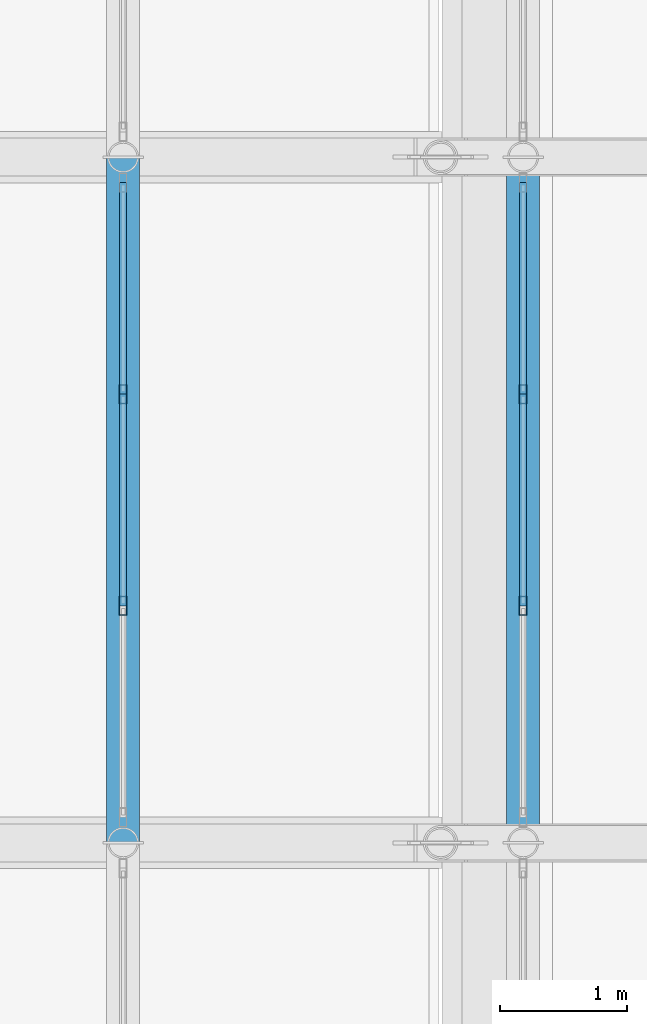
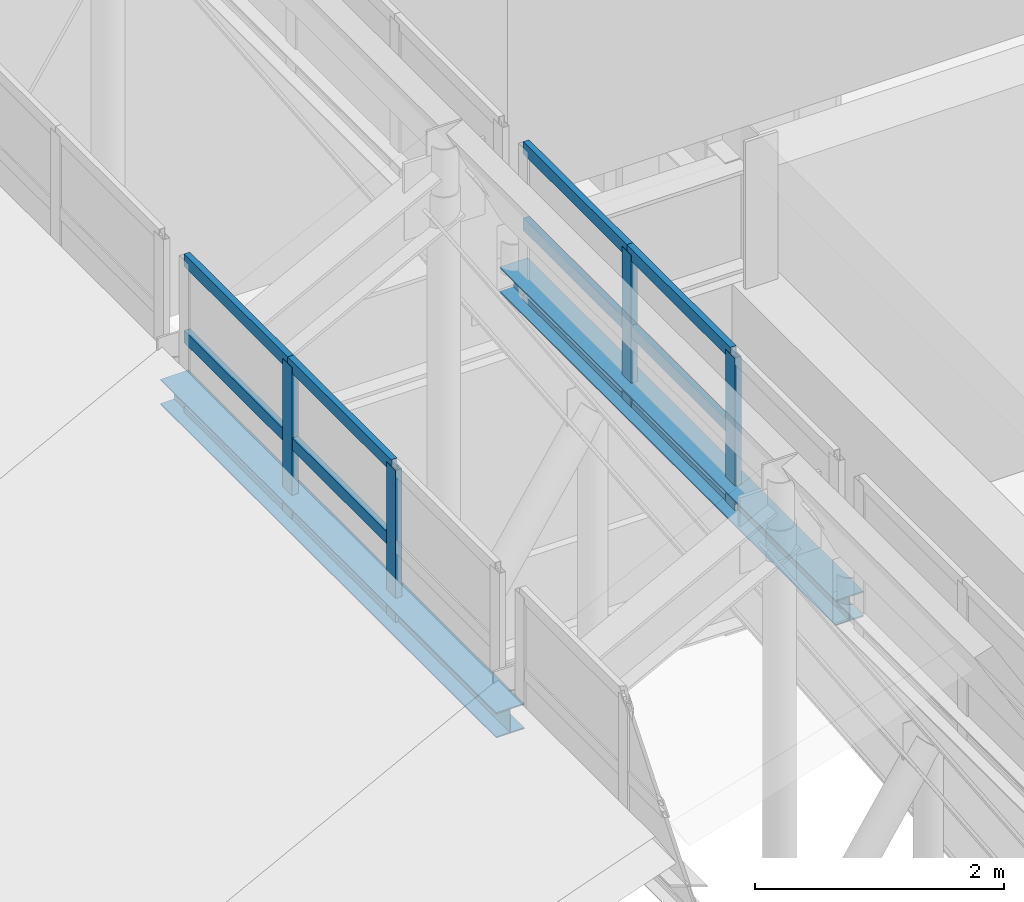
# One storey, part 16 of 84: 16 members, 2 beams, 2 elements without a shape of their own.
"""IFC4 building model written with IfcOpenShell, lengths in metres."""

from ifc_helpers import new_model, si_unit, direction, frame, origin, origin_2d, place, context, subcontext, project, spatial, hollow_rectangle, i_section, extrude, material, layer, layer_set, material_profile, profile_set, type_object, element, aggregate, save


model = new_model("IFC4")

# Units and contexts
model_context = context("Model", 3, precision=1e-05, world=origin(), true_north=direction((0.0, 1.0)))
body_context = subcontext(model_context, "Body", "Model", "MODEL_VIEW")
ifc_project = project(units=[si_unit("LENGTHUNIT", "METRE"), si_unit("AREAUNIT", "SQUARE_METRE"), si_unit("VOLUMEUNIT", "CUBIC_METRE"), si_unit("PLANEANGLEUNIT", "RADIAN"), si_unit("MASSUNIT", "GRAM", prefix="KILO")], contexts=[model_context])

# Site, building, storey
site_placement = place(None, origin())
site = spatial("IfcSite", under=ifc_project, at=site_placement, CompositionType="ELEMENT")
building_placement = place(site_placement, origin())
building = spatial("IfcBuilding", under=site, at=building_placement, Name="Sundgate Opera House", CompositionType="ELEMENT")
storey_placement = place(building_placement, frame((0.0, 0.0, 30.60009765625)))
storey = spatial("IfcBuildingStorey", under=building, at=storey_placement, Name="L06", CompositionType="ELEMENT", Elevation=30.60009765625)

# Beams
ifc_material_1 = material(Name="Steel S355J2", Category="steel")
ifc_material_profile_1 = material_profile(ifc_material_1, i_section(OverallWidth=0.260009765625, OverallDepth=0.25, WebThickness=0.007568359375, FlangeThickness=0.012451171875, at=origin_2d()), Name="HEA 260")
ifc_profile_set_1 = profile_set([ifc_material_profile_1], Name="Steel S355J2")
beam_type = type_object("IfcBeamType", Name="BM-LN-HEA260", PredefinedType="LINTEL", material=ifc_profile_set_1)
for number, where, z_axis, x_axis, name in (
    (1, (51.5, 43.800048828125, 12.119873046875), (0.0, 1.0, 0.0), (-1.0, 0.0, 0.0), "L06 Crown Clerestory Curb Beam BS026"),
    (2, (54.64990234375, 43.800048828125, 12.119873046875), (0.0, 1.0, 0.0), (-1.0, 0.0, 0.0), "L06 Crown Clerestory Curb Beam BS027"),
):
    element("IfcBeam", number, at=place(storey_placement, frame(where, z_axis=z_axis, x_axis=x_axis)), inside=storey, type_object=beam_type, Name=name, PredefinedType="LINTEL", context=body_context, shape_type="SweptSolid", body=[
        extrude(i_section(OverallWidth=0.260009765625, OverallDepth=0.25, WebThickness=0.007568359375, FlangeThickness=0.012451171875, at=origin_2d()), origin(), (0.0, 0.0, 1.0), 5.39990234375),
    ])

# Curtain wall, members
ifc_material_2 = material(Name="Anodized aluminium and low-iron glass", Category="aluminium")
ifc_layer = layer(ifc_material_2, 0.169921875)
ifc_layer_set = layer_set([ifc_layer], Name="Anodized aluminium and low-iron glass")
curtain_wall_type = type_object("IfcCurtainWallType", Name="CW-LANTERN-POLY", PredefinedType="NOTDEFINED", material=ifc_layer_set)
curtain_wall_1_placement = place(storey_placement, origin())
curtain_wall_1 = element("IfcCurtainWall", 3, at=curtain_wall_1_placement, inside=storey, type_object=curtain_wall_type, Name="L06 Curtain Wall CW173", PredefinedType="NOTDEFINED")
ifc_material_3 = material(Name="Anodized aluminium EN AW-6063", Category="aluminium")
ifc_material_profile_2 = material_profile(ifc_material_3, hollow_rectangle(XDim=0.06005859375, YDim=0.14990234375, WallThickness=0.00390625, at=origin_2d()), Name="CWM 150x60x4")
ifc_profile_set_2 = profile_set([ifc_material_profile_2], Name="Anodized aluminium EN AW-6063")
member_type_1 = type_object("IfcMemberType", Name="CWM-ALU-150x60", PredefinedType="MULLION", material=ifc_profile_set_2)
member_1_placement = place(storey_placement, frame((51.5, 47.333251953125, 12.0), z_axis=(0.0, 0.0, 1.0), x_axis=(1.0, 0.0, 0.0)))
member_1 = element("IfcMember", 4, at=member_1_placement, type_object=member_type_1, Name="CW173 Mullion 2", PredefinedType="MULLION", context=body_context, shape_type="SweptSolid", body=[
    extrude(hollow_rectangle(XDim=0.06005859375, YDim=0.14990234375, WallThickness=0.00390625, at=origin_2d()), origin(), (0.0, 0.0, 1.0), 1.5),
])
member_2_placement = place(storey_placement, frame((51.5, 45.666748046875, 12.0), z_axis=(0.0, 0.0, 1.0), x_axis=(1.0, 0.0, 0.0)))
member_2 = element("IfcMember", 5, at=member_2_placement, type_object=member_type_1, Name="CW173 Mullion 3", PredefinedType="MULLION", context=body_context, shape_type="SweptSolid", body=[
    extrude(hollow_rectangle(XDim=0.06005859375, YDim=0.14990234375, WallThickness=0.00390625, at=origin_2d()), origin(), (0.0, 0.0, 1.0), 1.5),
])

curtain_wall_2_placement = place(storey_placement, origin())
curtain_wall_2 = element("IfcCurtainWall", 6, at=curtain_wall_2_placement, inside=storey, type_object=curtain_wall_type, Name="L06 Curtain Wall CW174", PredefinedType="NOTDEFINED")
member_3_placement = place(storey_placement, frame((54.64990234375, 45.666748046875, 12.0), z_axis=(0.0, 0.0, 1.0), x_axis=(1.0, 0.0, 0.0)))
member_3 = element("IfcMember", 7, at=member_3_placement, type_object=member_type_1, Name="CW174 Mullion 2", PredefinedType="MULLION", context=body_context, shape_type="SweptSolid", body=[
    extrude(hollow_rectangle(XDim=0.06005859375, YDim=0.14990234375, WallThickness=0.00390625, at=origin_2d()), origin(), (0.0, 0.0, 1.0), 1.5),
])
member_4_placement = place(storey_placement, frame((54.64990234375, 47.333251953125, 12.0), z_axis=(0.0, 0.0, 1.0), x_axis=(1.0, 0.0, 0.0)))
member_4 = element("IfcMember", 8, at=member_4_placement, type_object=member_type_1, Name="CW174 Mullion 3", PredefinedType="MULLION", context=body_context, shape_type="SweptSolid", body=[
    extrude(hollow_rectangle(XDim=0.06005859375, YDim=0.14990234375, WallThickness=0.00390625, at=origin_2d()), origin(), (0.0, 0.0, 1.0), 1.5),
])

# Member
ifc_material_4 = material(Name="Anodized aluminium EN AW-6063", Category="aluminium")
ifc_material_profile_3 = material_profile(ifc_material_4, hollow_rectangle(XDim=0.054931640625, YDim=0.1201171875, WallThickness=0.00390625, at=origin_2d()), Name="CWT 120x55x4")
ifc_profile_set_3 = profile_set([ifc_material_profile_3], Name="Anodized aluminium EN AW-6063")
member_type_2 = type_object("IfcMemberType", Name="CWT-ALU-120x55", PredefinedType="USERDEFINED", material=ifc_profile_set_3)
member_5_placement = place(storey_placement, frame((51.5, 49.0, 12.0), z_axis=(0.0, -1.0, 0.0), x_axis=(1.0, 0.0, 0.0)))
member_5 = element("IfcMember", 9, at=member_5_placement, type_object=member_type_2, Name="CW173 Transom 1", ObjectType="TRANSOM", PredefinedType="USERDEFINED", context=body_context, shape_type="SweptSolid", body=[
    extrude(hollow_rectangle(XDim=0.054931640625, YDim=0.1201171875, WallThickness=0.00390625, at=origin_2d()), origin(), (0.0, 0.0, 1.0), 1.666748046875),
])

member_6_placement = place(storey_placement, frame((51.5, 49.0, 12.75), z_axis=(0.0, -1.0, 0.0), x_axis=(1.0, 0.0, 0.0)))
member_6 = element("IfcMember", 10, at=member_6_placement, type_object=member_type_2, Name="CW173 Transom 2", ObjectType="TRANSOM", PredefinedType="USERDEFINED", context=body_context, shape_type="SweptSolid", body=[
    extrude(hollow_rectangle(XDim=0.054931640625, YDim=0.1201171875, WallThickness=0.00390625, at=origin_2d()), origin(), (0.0, 0.0, 1.0), 1.666748046875),
])

member_7_placement = place(storey_placement, frame((51.5, 49.0, 13.5), z_axis=(0.0, -1.0, 0.0), x_axis=(1.0, 0.0, 0.0)))
member_7 = element("IfcMember", 11, at=member_7_placement, type_object=member_type_2, Name="CW173 Transom 3", ObjectType="TRANSOM", PredefinedType="USERDEFINED", context=body_context, shape_type="SweptSolid", body=[
    extrude(hollow_rectangle(XDim=0.054931640625, YDim=0.1201171875, WallThickness=0.00390625, at=origin_2d()), origin(), (0.0, 0.0, 1.0), 1.666748046875),
])

member_8_placement = place(storey_placement, frame((51.5, 47.333251953125, 12.0), z_axis=(0.0, -1.0, 0.0), x_axis=(1.0, 0.0, 0.0)))
member_8 = element("IfcMember", 12, at=member_8_placement, type_object=member_type_2, Name="CW173 Transom 4", ObjectType="TRANSOM", PredefinedType="USERDEFINED", context=body_context, shape_type="SweptSolid", body=[
    extrude(hollow_rectangle(XDim=0.054931640625, YDim=0.1201171875, WallThickness=0.00390625, at=origin_2d()), origin(), (0.0, 0.0, 1.0), 1.66650390625),
])

member_9_placement = place(storey_placement, frame((51.5, 47.333251953125, 12.75), z_axis=(0.0, -1.0, 0.0), x_axis=(1.0, 0.0, 0.0)))
member_9 = element("IfcMember", 13, at=member_9_placement, type_object=member_type_2, Name="CW173 Transom 5", ObjectType="TRANSOM", PredefinedType="USERDEFINED", context=body_context, shape_type="SweptSolid", body=[
    extrude(hollow_rectangle(XDim=0.054931640625, YDim=0.1201171875, WallThickness=0.00390625, at=origin_2d()), origin(), (0.0, 0.0, 1.0), 1.66650390625),
])

member_10_placement = place(storey_placement, frame((51.5, 47.333251953125, 13.5), z_axis=(0.0, -1.0, 0.0), x_axis=(1.0, 0.0, 0.0)))
member_10 = element("IfcMember", 14, at=member_10_placement, type_object=member_type_2, Name="CW173 Transom 6", ObjectType="TRANSOM", PredefinedType="USERDEFINED", context=body_context, shape_type="SweptSolid", body=[
    extrude(hollow_rectangle(XDim=0.054931640625, YDim=0.1201171875, WallThickness=0.00390625, at=origin_2d()), origin(), (0.0, 0.0, 1.0), 1.66650390625),
])

aggregate(curtain_wall_1, [member_1, member_2, member_5, member_6, member_7, member_8, member_9, member_10])

member_11_placement = place(storey_placement, frame((54.64990234375, 45.666748046875, 12.0), z_axis=(0.0, 1.0, 0.0), x_axis=(-1.0, 0.0, 0.0)))
member_11 = element("IfcMember", 15, at=member_11_placement, type_object=member_type_2, Name="CW174 Transom 4", ObjectType="TRANSOM", PredefinedType="USERDEFINED", context=body_context, shape_type="SweptSolid", body=[
    extrude(hollow_rectangle(XDim=0.054931640625, YDim=0.1201171875, WallThickness=0.00390625, at=origin_2d()), origin(), (0.0, 0.0, 1.0), 1.66650390625),
])

member_12_placement = place(storey_placement, frame((54.64990234375, 45.666748046875, 12.75), z_axis=(0.0, 1.0, 0.0), x_axis=(-1.0, 0.0, 0.0)))
member_12 = element("IfcMember", 16, at=member_12_placement, type_object=member_type_2, Name="CW174 Transom 5", ObjectType="TRANSOM", PredefinedType="USERDEFINED", context=body_context, shape_type="SweptSolid", body=[
    extrude(hollow_rectangle(XDim=0.054931640625, YDim=0.1201171875, WallThickness=0.00390625, at=origin_2d()), origin(), (0.0, 0.0, 1.0), 1.66650390625),
])

member_13_placement = place(storey_placement, frame((54.64990234375, 45.666748046875, 13.5), z_axis=(0.0, 1.0, 0.0), x_axis=(-1.0, 0.0, 0.0)))
member_13 = element("IfcMember", 17, at=member_13_placement, type_object=member_type_2, Name="CW174 Transom 6", ObjectType="TRANSOM", PredefinedType="USERDEFINED", context=body_context, shape_type="SweptSolid", body=[
    extrude(hollow_rectangle(XDim=0.054931640625, YDim=0.1201171875, WallThickness=0.00390625, at=origin_2d()), origin(), (0.0, 0.0, 1.0), 1.66650390625),
])

member_14_placement = place(storey_placement, frame((54.64990234375, 47.333251953125, 12.0), z_axis=(0.0, 1.0, 0.0), x_axis=(-1.0, 0.0, 0.0)))
member_14 = element("IfcMember", 18, at=member_14_placement, type_object=member_type_2, Name="CW174 Transom 7", ObjectType="TRANSOM", PredefinedType="USERDEFINED", context=body_context, shape_type="SweptSolid", body=[
    extrude(hollow_rectangle(XDim=0.054931640625, YDim=0.1201171875, WallThickness=0.00390625, at=origin_2d()), origin(), (0.0, 0.0, 1.0), 1.666748046875),
])

member_15_placement = place(storey_placement, frame((54.64990234375, 47.333251953125, 12.75), z_axis=(0.0, 1.0, 0.0), x_axis=(-1.0, 0.0, 0.0)))
member_15 = element("IfcMember", 19, at=member_15_placement, type_object=member_type_2, Name="CW174 Transom 8", ObjectType="TRANSOM", PredefinedType="USERDEFINED", context=body_context, shape_type="SweptSolid", body=[
    extrude(hollow_rectangle(XDim=0.054931640625, YDim=0.1201171875, WallThickness=0.00390625, at=origin_2d()), origin(), (0.0, 0.0, 1.0), 1.666748046875),
])

member_16_placement = place(storey_placement, frame((54.64990234375, 47.333251953125, 13.5), z_axis=(0.0, 1.0, 0.0), x_axis=(-1.0, 0.0, 0.0)))
member_16 = element("IfcMember", 20, at=member_16_placement, type_object=member_type_2, Name="CW174 Transom 9", ObjectType="TRANSOM", PredefinedType="USERDEFINED", context=body_context, shape_type="SweptSolid", body=[
    extrude(hollow_rectangle(XDim=0.054931640625, YDim=0.1201171875, WallThickness=0.00390625, at=origin_2d()), origin(), (0.0, 0.0, 1.0), 1.666748046875),
])

aggregate(curtain_wall_2, [member_3, member_4, member_11, member_12, member_13, member_14, member_15, member_16])

save(model, "model.ifc")
